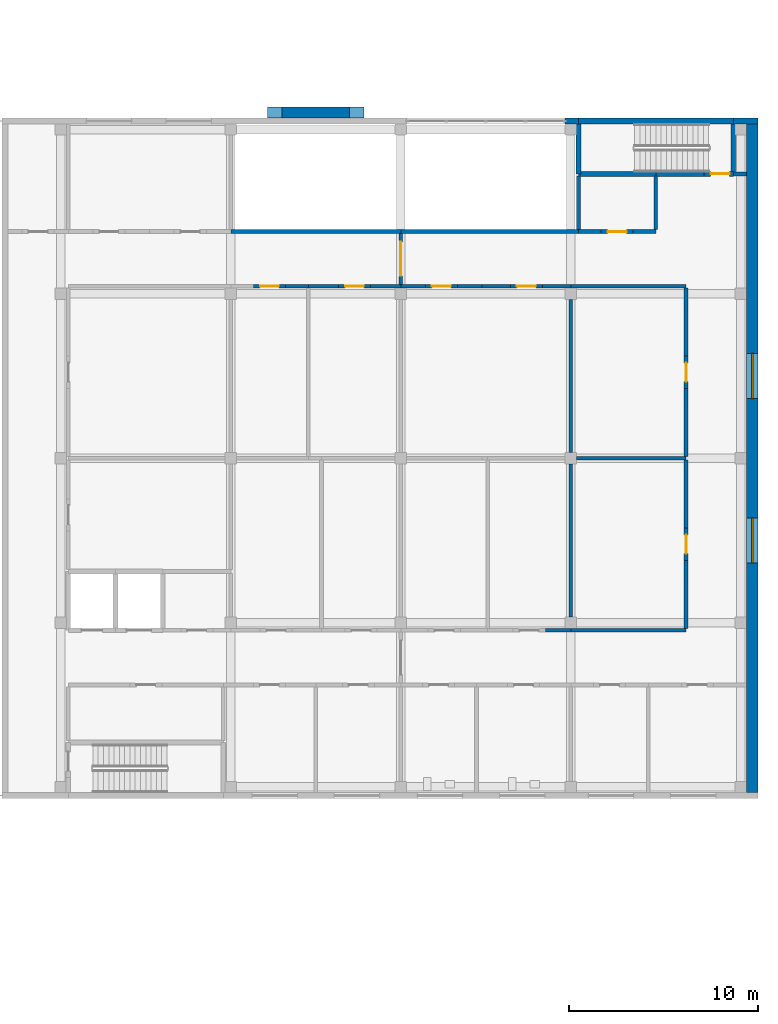
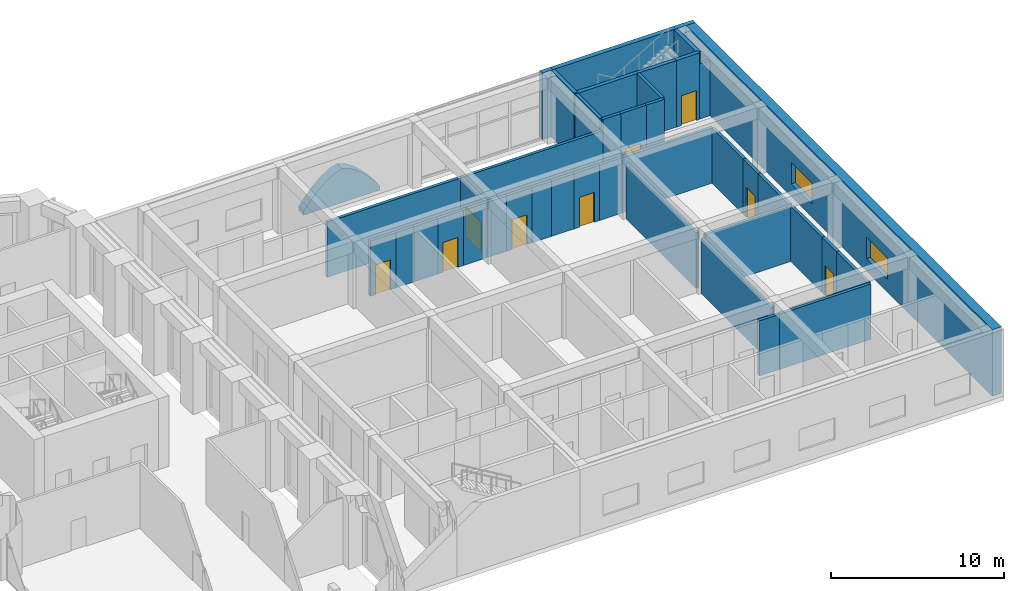
# One storey, part 17 of 25: 42 walls, 9 doors, 2 windows, 11 openings.
"""IFC4 building model written with IfcOpenShell, lengths in metres."""

import ifcopenshell
import ifcopenshell.guid

model = None  # the IFC model being written
_history = None  # IfcOwnerHistory: only IFC2X3 demands one
_inside = {}  # id of a spatial element -> (the spatial element, [elements in it])
_under = {}  # id of a project, library or spatial element -> (it, [spatial elements below it])
_declared = {}  # id of a project -> (the project, [libraries it declares])
_typed = {}  # id of a type object -> (the type object, [elements of that type])
_made_of = {}  # id of a material, layer set ... -> (it, [elements and type objects made of it])


def new_model(schema):
    """Start an empty IFC model of exactly this schema.

    Asked for "IFC4X3", IfcOpenShell would pick the latest addendum, in which some entities
    have other attributes; the version numbers below select the first issue.
    IFC2X3 requires an IfcOwnerHistory on every rooted entity: one is made here for all.
    """
    global model, _history
    if schema == "IFC4X3":
        model = ifcopenshell.file(schema_version=(4, 3, 0, 0))
    else:
        model = ifcopenshell.file(schema=schema)
    _inside.clear()
    _under.clear()
    _declared.clear()
    _typed.clear()
    _made_of.clear()
    _history = None
    if model.schema == "IFC2X3":
        org = make("IfcOrganization", Name="unknown")
        user = make(
            "IfcPersonAndOrganization",
            ThePerson=make("IfcPerson", FamilyName="unknown"),
            TheOrganization=org,
        )
        app = make(
            "IfcApplication",
            ApplicationDeveloper=org,
            Version="unknown",
            ApplicationFullName="unknown",
            ApplicationIdentifier="unknown",
        )
        _history = make(
            "IfcOwnerHistory",
            OwningUser=user,
            OwningApplication=app,
            ChangeAction="ADDED",
            CreationDate=0,
        )
    return model


def make(cls, **values):
    """One entity of the class cls with the attributes given. An attribute that is None is left unset."""
    return model.create_entity(
        cls, **{name: value for name, value in values.items() if value is not None}
    )


def rooted(cls, **values):
    """An entity with a GlobalId (a new one), such as an element, a storey or a relation."""
    return make(cls, GlobalId=ifcopenshell.guid.new(), OwnerHistory=_history, **values)


def si_unit(unit_type, name, prefix=None):
    """IfcSIUnit, for example si_unit("LENGTHUNIT", "METRE", prefix="MILLI")."""
    return make("IfcSIUnit", UnitType=unit_type, Prefix=prefix, Name=name)


def assignment(units):
    """IfcUnitAssignment: the units of a project."""
    return None if units is None else make("IfcUnitAssignment", Units=units)


def point(xyz):
    """IfcCartesianPoint."""
    return None if xyz is None else make("IfcCartesianPoint", Coordinates=xyz)


def direction(xyz):
    """IfcDirection."""
    return None if xyz is None else make("IfcDirection", DirectionRatios=xyz)


def frame(location, z_axis=None, x_axis=None):
    """IfcAxis2Placement3D, a coordinate frame: its origin and axes. An axis left out is left unset."""
    return make(
        "IfcAxis2Placement3D",
        Location=point(location),
        Axis=direction(z_axis),
        RefDirection=direction(x_axis),
    )


def frame_2d(location, x_axis=None):
    """IfcAxis2Placement2D, a coordinate frame in the plane: its origin and x axis."""
    return make(
        "IfcAxis2Placement2D", Location=point(location), RefDirection=direction(x_axis)
    )


def origin():
    """The frame at (0, 0, 0) with its axes left unset."""
    return frame((0.0, 0.0, 0.0))


def place(relative_to, where):
    """IfcLocalPlacement: puts the frame where relative to a parent placement (None: the world)."""
    return make(
        "IfcLocalPlacement", PlacementRelTo=relative_to, RelativePlacement=where
    )


def context(
    kind, dimensions, precision=None, world=None, true_north=None, identifier=None
):
    """IfcGeometricRepresentationContext, for example the 3D "Model" context."""
    return make(
        "IfcGeometricRepresentationContext",
        ContextIdentifier=identifier,
        ContextType=kind,
        CoordinateSpaceDimension=dimensions,
        Precision=precision,
        WorldCoordinateSystem=world,
        TrueNorth=true_north,
    )


def subcontext(parent, identifier, kind, view, scale=None):
    """IfcGeometricRepresentationSubContext, for example "Body" below "Model"."""
    return make(
        "IfcGeometricRepresentationSubContext",
        ContextIdentifier=identifier,
        ContextType=kind,
        ParentContext=parent,
        TargetScale=scale,
        TargetView=view,
    )


def project(units=None, contexts=None):
    """IfcProject with its units and contexts."""
    return rooted(
        "IfcProject",
        Name="project",
        RepresentationContexts=contexts,
        UnitsInContext=assignment(units),
    )


def spatial(cls, under=None, at=None, **own):
    """A site, building, storey or space (cls), placed at a placement, below another one or the project."""
    s = rooted(cls, ObjectPlacement=at, **own)
    if under is not None:
        _under.setdefault(under.id(), (under, []))[1].append(s)
    return s


def polyline(points):
    """IfcPolyline through the points."""
    return make("IfcPolyline", Points=[point(p) for p in points])


def profile(cls, at=None, kind="AREA", **sizes):
    """A parametric profile (cls). Its sizes go by their IFC names, for example OverallWidth=200.0."""
    return make(cls, ProfileType=kind, Position=at, **sizes)


def rectangle(**sizes):
    """IfcRectangleProfileDef."""
    return profile("IfcRectangleProfileDef", **sizes)


def outline(outer, holes=None, kind="AREA"):
    """IfcArbitraryClosedProfileDef: a profile drawn as a closed curve; with holes, ...WithVoids."""
    if holes is None:
        return make("IfcArbitraryClosedProfileDef", ProfileType=kind, OuterCurve=outer)
    return make(
        "IfcArbitraryProfileDefWithVoids",
        ProfileType=kind,
        OuterCurve=outer,
        InnerCurves=holes,
    )


def extrude(swept, where, along, depth):
    """IfcExtrudedAreaSolid: the profile swept, set in the frame where, extruded along a direction by depth."""
    return make(
        "IfcExtrudedAreaSolid",
        SweptArea=swept,
        Position=where,
        ExtrudedDirection=direction(along),
        Depth=depth,
    )


def shape(context_of_items, identifier, shape_type, items):
    """IfcShapeRepresentation: the items that make up one representation, for example the "Body"."""
    return make(
        "IfcShapeRepresentation",
        ContextOfItems=context_of_items,
        RepresentationIdentifier=identifier,
        RepresentationType=shape_type,
        Items=items,
    )


def material(Name=None, Category=None):
    """IfcMaterial."""
    return make("IfcMaterial", Name=Name, Category=Category)


def layer(
    of_material, thickness, ventilated=None, Name=None, Category=None, Priority=None
):
    """IfcMaterialLayer: one layer of a wall or slab, of a material (None: an air gap)."""
    return make(
        "IfcMaterialLayer",
        Material=of_material,
        LayerThickness=thickness,
        IsVentilated=ventilated,
        Name=Name,
        Category=Category,
        Priority=Priority,
    )


def layer_set(layers, Name=None):
    """IfcMaterialLayerSet."""
    return make("IfcMaterialLayerSet", MaterialLayers=layers, LayerSetName=Name)


def made_of(thing, what):
    """Note that an element or type object is made of a material, layer set ...; save() writes the relation."""
    if what is not None:
        _made_of.setdefault(what.id(), (what, []))[1].append(thing)
    return thing


def type_object(cls, material=None, **own):
    """A type object (cls), such as IfcWallType, which elements share."""
    return made_of(rooted(cls, **own), material)


def element(
    cls,
    number,
    at=None,
    inside=None,
    cuts=None,
    type_object=None,
    material=None,
    context=None,
    identifier="Body",
    shape_type=None,
    held_by="IfcProductDefinitionShape",
    body=None,
    shapes=None,
    **own,
):
    """One element of the class cls, such as IfcWall. Its Tag is "e" and its number.

    at: its placement. inside: the storey or other place that contains it. cuts: it is an
    opening in that element (IfcRelVoidsElement). A single representation is given by context,
    identifier, shape_type and body (its items); several are given by shapes. held_by: the class
    of the entity that holds the representations. save() writes the other relations.
    """
    e = rooted(cls, Tag="e%d" % number, ObjectPlacement=at, **own)
    if body is not None:
        shapes = [shape(context, identifier, shape_type, body)]
    if shapes is not None:
        e.Representation = make(held_by, Representations=shapes)
    if inside is not None:
        _inside.setdefault(inside.id(), (inside, []))[1].append(e)
    if cuts is not None:
        rooted(
            "IfcRelVoidsElement", RelatingBuildingElement=cuts, RelatedOpeningElement=e
        )
    if type_object is not None:
        _typed.setdefault(type_object.id(), (type_object, []))[1].append(e)
    return made_of(e, material)


def fill(opening, filler):
    """IfcRelFillsElement: the door or window that sits in an opening."""
    return rooted(
        "IfcRelFillsElement",
        RelatingOpeningElement=opening,
        RelatedBuildingElement=filler,
    )


def aggregate(whole, parts):
    """IfcRelAggregates: a whole, such as a stair, and the parts it consists of."""
    return rooted("IfcRelAggregates", RelatingObject=whole, RelatedObjects=parts)


def save(model, path):
    """Write the relations noted so far, then the file.

    IfcRelAggregates (storeys below a building ...), IfcRelContainedInSpatialStructure (elements
    in a storey), IfcRelDefinesByType, IfcRelAssociatesMaterial and IfcRelDeclares: one each for
    every whole, place, type object, material and project.
    """
    for whole, parts in _under.values():
        aggregate(whole, parts)
    for where, things in _inside.values():
        rooted(
            "IfcRelContainedInSpatialStructure",
            RelatedElements=things,
            RelatingStructure=where,
        )
    for kind, things in _typed.values():
        rooted("IfcRelDefinesByType", RelatedObjects=things, RelatingType=kind)
    for what, things in _made_of.values():
        rooted("IfcRelAssociatesMaterial", RelatedObjects=things, RelatingMaterial=what)
    for by, libraries in _declared.values():
        rooted("IfcRelDeclares", RelatingContext=by, RelatedDefinitions=libraries)
    model.write(path)


model = new_model("IFC4")

# Units and contexts
model_context = context("Model", 3, precision=1e-05, world=origin(), true_north=direction((0.0, 1.0)))
body_context = subcontext(model_context, "Body", "Model", "MODEL_VIEW")
ifc_project = project(units=[si_unit("LENGTHUNIT", "METRE"), si_unit("AREAUNIT", "SQUARE_METRE"), si_unit("VOLUMEUNIT", "CUBIC_METRE"), si_unit("PLANEANGLEUNIT", "RADIAN"), si_unit("MASSUNIT", "GRAM", prefix="KILO")], contexts=[model_context])

# Site, building, storey
site_placement = place(None, origin())
site = spatial("IfcSite", under=ifc_project, at=site_placement, CompositionType="ELEMENT")
building_placement = place(site_placement, origin())
building = spatial("IfcBuilding", under=site, at=building_placement, Name="Girih Gate Residences", CompositionType="ELEMENT")
storey_placement = place(building_placement, frame((0.0, 0.0, 6.0)))
storey = spatial("IfcBuildingStorey", under=building, at=storey_placement, Name="L01", CompositionType="ELEMENT", Elevation=6.0)

# Walls
ifc_material_1 = material(Name="Fire-rated gypsum partition")
ifc_layer_1 = layer(ifc_material_1, 0.199951171875)
ifc_layer_set_1 = layer_set([ifc_layer_1], Name="HC Corridor wall 200 EI 60")
wall_type_1 = type_object("IfcWallType", Name="HC Corridor wall 200 EI 60", PredefinedType="PARTITIONING", material=ifc_layer_set_1)
wall_1_placement = place(storey_placement, frame((79.10009765625, 17.89990234375, 0.0), z_axis=(0.0, 0.0, 1.0), x_axis=(1.0, 0.0, 0.0)))
element("IfcWall", 1, at=wall_1_placement, inside=storey, type_object=wall_type_1, Name="L01 wall x17.90/79.1", PredefinedType="PARTITIONING", context=body_context, shape_type="SweptSolid", body=[
    extrude(rectangle(XDim=1.349853515625, YDim=0.199951171875, at=frame_2d((0.6748046875, 0.0))), origin(), (0.0, 0.0, 1.0), 3.89990234375),
])
wall_2_placement = place(storey_placement, frame((80.449951171875, 17.89990234375, 0.0), z_axis=(0.0, 0.0, 1.0), x_axis=(1.0, 0.0, 0.0)))
element("IfcWall", 2, at=wall_2_placement, inside=storey, type_object=wall_type_1, Name="L01 wall x17.90/80.5", PredefinedType="PARTITIONING", context=body_context, shape_type="SweptSolid", body=[
    extrude(rectangle(XDim=6.10009765625, YDim=0.199951171875, at=frame_2d((3.050048828125, 0.0))), origin(), (0.0, 0.0, 1.0), 3.89990234375),
])

# Wall, opening, door
wall_3_placement = place(storey_placement, frame((65.35009765625, 36.10009765625, 0.0), z_axis=(0.0, 0.0, 1.0), x_axis=(-1.0, 0.0, 0.0)))
wall_3 = element("IfcWall", 3, at=wall_3_placement, inside=storey, type_object=wall_type_1, Name="L01 wall x36.10/63.6", PredefinedType="PARTITIONING", context=body_context, shape_type="SweptSolid", body=[
    extrude(rectangle(XDim=1.7001953125, YDim=0.199951171875, at=frame_2d((0.85009765625, 0.0))), origin(), (0.0, 0.0, 1.0), 3.89990234375),
])
opening_1_placement = place(wall_3_placement, frame((0.35009765625, 0.0, 0.0)))
opening_1 = element("IfcOpeningElement", 4, at=opening_1_placement, cuts=wall_3, Name="Opening HC-L01-D22", PredefinedType="OPENING", context=body_context, shape_type="SweptSolid", body=[
    extrude(rectangle(XDim=1.0, YDim=2.10009765625, at=frame_2d((0.5, 1.050048828125))), frame((0.0, 0.10986328125, 0.0), z_axis=(0.0, -1.0, 0.0), x_axis=(1.0, 0.0, 0.0)), (0.0, 0.0, 1.0), 0.219970703125),
])
ifc_material_2 = material(Name="Timber door set", Category="wood")
door_type_1 = type_object("IfcDoorType", Name="HC Door 1000x2100 FD30S", OperationType="NOTDEFINED", PredefinedType="DOOR", material=ifc_material_2)
door_1_placement = place(opening_1_placement, origin())
door_1 = element("IfcDoor", 5, at=door_1_placement, inside=storey, type_object=door_type_1, Name="L01 Blood sampling room door", OperationType="SINGLE_SWING_LEFT", OverallHeight=2.10009765625, OverallWidth=1.0, PredefinedType="DOOR", context=body_context, shape_type="SweptSolid", body=[
    extrude(rectangle(XDim=1.0, YDim=2.10009765625, at=frame_2d((0.5, 1.050048828125))), frame((0.0, 0.02490234375, 0.0), z_axis=(0.0, -1.0, 0.0), x_axis=(1.0, 0.0, 0.0)), (0.0, 0.0, 1.0), 0.050048828125),
])
fill(opening_1, door_1)

# Walls
wall_4_placement = place(storey_placement, frame((65.35009765625, 36.10009765625, 0.0), z_axis=(0.0, 0.0, 1.0), x_axis=(1.0, 0.0, 0.0)))
element("IfcWall", 6, at=wall_4_placement, inside=storey, type_object=wall_type_1, Name="L01 wall x36.10/65.3", PredefinedType="PARTITIONING", context=body_context, shape_type="SweptSolid", body=[
    extrude(rectangle(XDim=1.199951171875, YDim=0.199951171875, at=frame_2d((0.60009765625, 0.0))), origin(), (0.0, 0.0, 1.0), 3.89990234375),
])
wall_5_placement = place(storey_placement, frame((66.550048828125, 36.10009765625, 0.0), z_axis=(0.0, 0.0, 1.0), x_axis=(1.0, 0.0, 0.0)))
element("IfcWall", 7, at=wall_5_placement, inside=storey, type_object=wall_type_1, Name="L01 wall x36.10/66.5", PredefinedType="PARTITIONING", context=body_context, shape_type="SweptSolid", body=[
    extrude(rectangle(XDim=1.599853515625, YDim=0.199951171875, at=frame_2d((0.7998046875, 0.0))), origin(), (0.0, 0.0, 1.0), 3.89990234375),
])

# Wall, opening, door
wall_6_placement = place(storey_placement, frame((69.85009765625, 36.10009765625, 0.0), z_axis=(0.0, 0.0, 1.0), x_axis=(-1.0, 0.0, 0.0)))
wall_6 = element("IfcWall", 8, at=wall_6_placement, inside=storey, type_object=wall_type_1, Name="L01 wall x36.10/68.2", PredefinedType="PARTITIONING", context=body_context, shape_type="SweptSolid", body=[
    extrude(rectangle(XDim=1.7001953125, YDim=0.199951171875, at=frame_2d((0.85009765625, 0.0))), origin(), (0.0, 0.0, 1.0), 3.89990234375),
])
opening_2_placement = place(wall_6_placement, frame((0.35009765625, 0.0, 0.0)))
opening_2 = element("IfcOpeningElement", 9, at=opening_2_placement, cuts=wall_6, Name="Opening HC-L01-D23", PredefinedType="OPENING", context=body_context, shape_type="SweptSolid", body=[
    extrude(rectangle(XDim=1.0, YDim=2.10009765625, at=frame_2d((0.5, 1.050048828125))), frame((0.0, 0.10986328125, 0.0), z_axis=(0.0, -1.0, 0.0), x_axis=(1.0, 0.0, 0.0)), (0.0, 0.0, 1.0), 0.219970703125),
])
door_2_placement = place(opening_2_placement, origin())
door_2 = element("IfcDoor", 10, at=door_2_placement, inside=storey, type_object=door_type_1, Name="L01 Specimen laboratory door", OperationType="SINGLE_SWING_RIGHT", OverallHeight=2.10009765625, OverallWidth=1.0, PredefinedType="DOOR", context=body_context, shape_type="SweptSolid", body=[
    extrude(rectangle(XDim=1.0, YDim=2.10009765625, at=frame_2d((0.5, 1.050048828125))), frame((0.0, 0.02490234375, 0.0), z_axis=(0.0, -1.0, 0.0), x_axis=(1.0, 0.0, 0.0)), (0.0, 0.0, 1.0), 0.050048828125),
])
fill(opening_2, door_2)

# Walls
wall_7_placement = place(storey_placement, frame((69.85009765625, 36.10009765625, 0.0), z_axis=(0.0, 0.0, 1.0), x_axis=(1.0, 0.0, 0.0)))
element("IfcWall", 11, at=wall_7_placement, inside=storey, type_object=wall_type_1, Name="L01 wall x36.10/69.8", PredefinedType="PARTITIONING", context=body_context, shape_type="SweptSolid", body=[
    extrude(rectangle(XDim=1.599853515625, YDim=0.199951171875, at=frame_2d((0.7998046875, 0.0))), origin(), (0.0, 0.0, 1.0), 3.89990234375),
])
wall_8_placement = place(storey_placement, frame((71.449951171875, 36.10009765625, 0.0), z_axis=(0.0, 0.0, 1.0), x_axis=(1.0, 0.0, 0.0)))
element("IfcWall", 12, at=wall_8_placement, inside=storey, type_object=wall_type_1, Name="L01 wall x36.10/71.5", PredefinedType="PARTITIONING", context=body_context, shape_type="SweptSolid", body=[
    extrude(rectangle(XDim=1.300048828125, YDim=0.199951171875, at=frame_2d((0.64990234375, 0.0))), origin(), (0.0, 0.0, 1.0), 3.89990234375),
])

# Wall, opening, door
wall_9_placement = place(storey_placement, frame((74.449951171875, 36.10009765625, 0.0), z_axis=(0.0, 0.0, 1.0), x_axis=(-1.0, 0.0, 0.0)))
wall_9 = element("IfcWall", 13, at=wall_9_placement, inside=storey, type_object=wall_type_1, Name="L01 wall x36.10/72.8", PredefinedType="PARTITIONING", context=body_context, shape_type="SweptSolid", body=[
    extrude(rectangle(XDim=1.699951171875, YDim=0.199951171875, at=frame_2d((0.85009765625, 0.0))), origin(), (0.0, 0.0, 1.0), 3.89990234375),
])
opening_3_placement = place(wall_9_placement, frame((0.35009765625, 0.0, 0.0)))
opening_3 = element("IfcOpeningElement", 14, at=opening_3_placement, cuts=wall_9, Name="Opening HC-L01-D24", PredefinedType="OPENING", context=body_context, shape_type="SweptSolid", body=[
    extrude(rectangle(XDim=1.0, YDim=2.10009765625, at=frame_2d((0.5, 1.050048828125))), frame((0.0, 0.10986328125, 0.0), z_axis=(0.0, -1.0, 0.0), x_axis=(1.0, 0.0, 0.0)), (0.0, 0.0, 1.0), 0.219970703125),
])
door_3_placement = place(opening_3_placement, origin())
door_3 = element("IfcDoor", 15, at=door_3_placement, inside=storey, type_object=door_type_1, Name="L01 Consulting room 1 door", OperationType="SINGLE_SWING_LEFT", OverallHeight=2.10009765625, OverallWidth=1.0, PredefinedType="DOOR", context=body_context, shape_type="SweptSolid", body=[
    extrude(rectangle(XDim=1.0, YDim=2.10009765625, at=frame_2d((0.5, 1.050048828125))), frame((0.0, 0.02490234375, 0.0), z_axis=(0.0, -1.0, 0.0), x_axis=(1.0, 0.0, 0.0)), (0.0, 0.0, 1.0), 0.050048828125),
])
fill(opening_3, door_3)

# Walls
wall_10_placement = place(storey_placement, frame((74.449951171875, 36.10009765625, 0.0), z_axis=(0.0, 0.0, 1.0), x_axis=(1.0, 0.0, 0.0)))
element("IfcWall", 16, at=wall_10_placement, inside=storey, type_object=wall_type_1, Name="L01 wall x36.10/74.4", PredefinedType="PARTITIONING", context=body_context, shape_type="SweptSolid", body=[
    extrude(rectangle(XDim=1.300048828125, YDim=0.199951171875, at=frame_2d((0.64990234375, 0.0))), origin(), (0.0, 0.0, 1.0), 3.89990234375),
])
wall_11_placement = place(storey_placement, frame((75.75, 36.10009765625, 0.0), z_axis=(0.0, 0.0, 1.0), x_axis=(1.0, 0.0, 0.0)))
element("IfcWall", 17, at=wall_11_placement, inside=storey, type_object=wall_type_1, Name="L01 wall x36.10/75.8", PredefinedType="PARTITIONING", context=body_context, shape_type="SweptSolid", body=[
    extrude(rectangle(XDim=1.5, YDim=0.199951171875, at=frame_2d((0.75, 0.0))), origin(), (0.0, 0.0, 1.0), 3.89990234375),
])

# Wall, opening, door
wall_12_placement = place(storey_placement, frame((78.949951171875, 36.10009765625, 0.0), z_axis=(0.0, 0.0, 1.0), x_axis=(-1.0, 0.0, 0.0)))
wall_12 = element("IfcWall", 18, at=wall_12_placement, inside=storey, type_object=wall_type_1, Name="L01 wall x36.10/77.2", PredefinedType="PARTITIONING", context=body_context, shape_type="SweptSolid", body=[
    extrude(rectangle(XDim=1.699951171875, YDim=0.199951171875, at=frame_2d((0.85009765625, 0.0))), origin(), (0.0, 0.0, 1.0), 3.89990234375),
])
opening_4_placement = place(wall_12_placement, frame((0.35009765625, 0.0, 0.0)))
opening_4 = element("IfcOpeningElement", 19, at=opening_4_placement, cuts=wall_12, Name="Opening HC-L01-D25", PredefinedType="OPENING", context=body_context, shape_type="SweptSolid", body=[
    extrude(rectangle(XDim=1.0, YDim=2.10009765625, at=frame_2d((0.5, 1.050048828125))), frame((0.0, 0.10986328125, 0.0), z_axis=(0.0, -1.0, 0.0), x_axis=(1.0, 0.0, 0.0)), (0.0, 0.0, 1.0), 0.219970703125),
])
door_4_placement = place(opening_4_placement, origin())
door_4 = element("IfcDoor", 20, at=door_4_placement, inside=storey, type_object=door_type_1, Name="L01 Consulting room 2 door", OperationType="SINGLE_SWING_RIGHT", OverallHeight=2.10009765625, OverallWidth=1.0, PredefinedType="DOOR", context=body_context, shape_type="SweptSolid", body=[
    extrude(rectangle(XDim=1.0, YDim=2.10009765625, at=frame_2d((0.5, 1.050048828125))), frame((0.0, 0.02490234375, 0.0), z_axis=(0.0, -1.0, 0.0), x_axis=(1.0, 0.0, 0.0)), (0.0, 0.0, 1.0), 0.050048828125),
])
fill(opening_4, door_4)

# Walls
wall_13_placement = place(storey_placement, frame((78.949951171875, 36.10009765625, 0.0), z_axis=(0.0, 0.0, 1.0), x_axis=(1.0, 0.0, 0.0)))
element("IfcWall", 21, at=wall_13_placement, inside=storey, type_object=wall_type_1, Name="L01 wall x36.10/78.9", PredefinedType="PARTITIONING", context=body_context, shape_type="SweptSolid", body=[
    extrude(rectangle(XDim=1.5, YDim=0.199951171875, at=frame_2d((0.75, 0.0))), origin(), (0.0, 0.0, 1.0), 3.89990234375),
])
wall_14_placement = place(storey_placement, frame((80.449951171875, 36.10009765625, 0.0), z_axis=(0.0, 0.0, 1.0), x_axis=(1.0, 0.0, 0.0)))
element("IfcWall", 22, at=wall_14_placement, inside=storey, type_object=wall_type_1, Name="L01 wall x36.10/80.5", PredefinedType="PARTITIONING", context=body_context, shape_type="SweptSolid", body=[
    extrude(rectangle(XDim=6.10009765625, YDim=0.199951171875, at=frame_2d((3.050048828125, 0.0))), origin(), (0.0, 0.0, 1.0), 3.89990234375),
])
wall_15_placement = place(storey_placement, frame((62.449951171875, 39.0, 0.0), z_axis=(0.0, 0.0, 1.0), x_axis=(1.0, 0.0, 0.0)))
element("IfcWall", 23, at=wall_15_placement, inside=storey, type_object=wall_type_1, Name="L01 wall x39.00/62.5", PredefinedType="PARTITIONING", context=body_context, shape_type="SweptSolid", body=[
    extrude(rectangle(XDim=9.0, YDim=0.199951171875, at=frame_2d((4.5, 0.0))), origin(), (0.0, 0.0, 1.0), 3.89990234375),
])
wall_16_placement = place(storey_placement, frame((71.449951171875, 39.0, 0.0), z_axis=(0.0, 0.0, 1.0), x_axis=(1.0, 0.0, 0.0)))
element("IfcWall", 24, at=wall_16_placement, inside=storey, type_object=wall_type_1, Name="L01 wall x39.00/71.5", PredefinedType="PARTITIONING", context=body_context, shape_type="SweptSolid", body=[
    extrude(rectangle(XDim=9.400146484375, YDim=0.199951171875, at=frame_2d((4.7001953125, 0.0))), origin(), (0.0, 0.0, 1.0), 3.89990234375),
])
wall_17_placement = place(storey_placement, frame((80.85009765625, 39.0, 0.0), z_axis=(0.0, 0.0, 1.0), x_axis=(1.0, 0.0, 0.0)))
element("IfcWall", 25, at=wall_17_placement, inside=storey, type_object=wall_type_1, Name="L01 wall x39.00/80.8", PredefinedType="PARTITIONING", context=body_context, shape_type="SweptSolid", body=[
    extrude(rectangle(XDim=1.199951171875, YDim=0.199951171875, at=frame_2d((0.60009765625, 0.0))), origin(), (0.0, 0.0, 1.0), 4.699951171875),
])

# Wall, opening, door
wall_18_placement = place(storey_placement, frame((82.050048828125, 39.0, 0.0), z_axis=(0.0, 0.0, 1.0), x_axis=(1.0, 0.0, 0.0)))
wall_18 = element("IfcWall", 26, at=wall_18_placement, inside=storey, type_object=wall_type_1, Name="L01 wall x39.00/82.1", PredefinedType="PARTITIONING", context=body_context, shape_type="SweptSolid", body=[
    extrude(rectangle(XDim=1.699951171875, YDim=0.199951171875, at=frame_2d((0.85009765625, 0.0))), origin(), (0.0, 0.0, 1.0), 4.699951171875),
])
opening_5_placement = place(wall_18_placement, frame((0.35009765625, 0.0, 0.0)))
opening_5 = element("IfcOpeningElement", 27, at=opening_5_placement, cuts=wall_18, Name="Opening HC-L01-D30", PredefinedType="OPENING", context=body_context, shape_type="SweptSolid", body=[
    extrude(rectangle(XDim=1.0, YDim=2.10009765625, at=frame_2d((0.5, 1.050048828125))), frame((0.0, 0.10986328125, 0.0), z_axis=(0.0, -1.0, 0.0), x_axis=(1.0, 0.0, 0.0)), (0.0, 0.0, 1.0), 0.219970703125),
])
door_5_placement = place(opening_5_placement, origin())
door_5 = element("IfcDoor", 28, at=door_5_placement, inside=storey, type_object=door_type_1, Name="L01 Medical gases store door", OperationType="SINGLE_SWING_RIGHT", OverallHeight=2.10009765625, OverallWidth=1.0, PredefinedType="DOOR", context=body_context, shape_type="SweptSolid", body=[
    extrude(rectangle(XDim=1.0, YDim=2.10009765625, at=frame_2d((0.5, 1.050048828125))), frame((0.0, 0.02490234375, 0.0), z_axis=(0.0, -1.0, 0.0), x_axis=(1.0, 0.0, 0.0)), (0.0, 0.0, 1.0), 0.050048828125),
])
fill(opening_5, door_5)

# Walls
wall_19_placement = place(storey_placement, frame((83.75, 39.0, 0.0), z_axis=(0.0, 0.0, 1.0), x_axis=(1.0, 0.0, 0.0)))
element("IfcWall", 29, at=wall_19_placement, inside=storey, type_object=wall_type_1, Name="L01 wall x39.00/83.8", PredefinedType="PARTITIONING", context=body_context, shape_type="SweptSolid", body=[
    extrude(rectangle(XDim=1.199951171875, YDim=0.199951171875, at=frame_2d((0.60009765625, 0.0))), origin(), (0.0, 0.0, 1.0), 4.699951171875),
])
wall_20_placement = place(storey_placement, frame((89.050048828125, 42.050048828125, 0.0), z_axis=(0.0, 0.0, 1.0), x_axis=(1.0, 0.0, 0.0)))
element("IfcWall", 30, at=wall_20_placement, inside=storey, type_object=wall_type_1, Name="L01 wall x42.05/89.0", PredefinedType="PARTITIONING", context=body_context, shape_type="SweptSolid", body=[
    extrude(rectangle(XDim=0.699951171875, YDim=0.199951171875, at=frame_2d((0.35009765625, 0.0))), origin(), (0.0, 0.0, 1.0), 3.89990234375),
])

# Wall, opening, door
wall_21_placement = place(storey_placement, frame((71.449951171875, 38.89990234375, 0.0), z_axis=(0.0, 0.0, 1.0), x_axis=(0.0, -1.0, 0.0)))
wall_21 = element("IfcWall", 31, at=wall_21_placement, inside=storey, type_object=wall_type_1, Name="L01 wall y71.45/36.2", PredefinedType="PARTITIONING", context=body_context, shape_type="SweptSolid", body=[
    extrude(rectangle(XDim=2.699951171875, YDim=0.199951171875, at=frame_2d((1.35009765625, 0.0))), origin(), (0.0, 0.0, 1.0), 3.89990234375),
])
opening_6_placement = place(wall_21_placement, frame((0.449951171875, 0.0, 0.0)))
opening_6 = element("IfcOpeningElement", 32, at=opening_6_placement, cuts=wall_21, Name="Opening HC-L01-D06", PredefinedType="OPENING", context=body_context, shape_type="SweptSolid", body=[
    extrude(rectangle(XDim=1.800048828125, YDim=2.10009765625, at=frame_2d((0.89990234375, 1.050048828125))), frame((0.0, 0.10986328125, 0.0), z_axis=(0.0, -1.0, 0.0), x_axis=(1.0, 0.0, 0.0)), (0.0, 0.0, 1.0), 0.219970703125),
])
door_type_2 = type_object("IfcDoorType", Name="HC Corridor fire door pair 1800x2100 FD30S", OperationType="NOTDEFINED", PredefinedType="DOOR", material=ifc_material_2)
door_6_placement = place(opening_6_placement, origin())
door_6 = element("IfcDoor", 33, at=door_6_placement, inside=storey, type_object=door_type_2, Name="L01 corridor north fire door pair", OperationType="DOUBLE_DOOR_DOUBLE_SWING", OverallHeight=2.10009765625, OverallWidth=1.800048828125, PredefinedType="DOOR", context=body_context, shape_type="SweptSolid", body=[
    extrude(rectangle(XDim=1.800048828125, YDim=2.10009765625, at=frame_2d((0.89990234375, 1.050048828125))), frame((0.0, 0.02490234375, 0.0), z_axis=(0.0, -1.0, 0.0), x_axis=(1.0, 0.0, 0.0)), (0.0, 0.0, 1.0), 0.050048828125),
])
fill(opening_6, door_6)

# Walls
wall_22_placement = place(storey_placement, frame((84.949951171875, 39.10009765625, 0.0), z_axis=(0.0, 0.0, 1.0), x_axis=(0.0, 1.0, 0.0)))
element("IfcWall", 34, at=wall_22_placement, inside=storey, type_object=wall_type_1, Name="L01 wall y84.95/39.1", PredefinedType="PARTITIONING", context=body_context, shape_type="SweptSolid", body=[
    extrude(rectangle(XDim=2.849853515625, YDim=0.199951171875, at=frame_2d((1.4248046875, 0.0))), origin(), (0.0, 0.0, 1.0), 4.699951171875),
])
wall_23_placement = place(storey_placement, frame((86.550048828125, 18.0, 0.0), z_axis=(0.0, 0.0, 1.0), x_axis=(0.0, 1.0, 0.0)))
element("IfcWall", 35, at=wall_23_placement, inside=storey, type_object=wall_type_1, Name="L01 wall y86.55/18.0", PredefinedType="PARTITIONING", context=body_context, shape_type="SweptSolid", body=[
    extrude(rectangle(XDim=3.60009765625, YDim=0.199951171875, at=frame_2d((1.800048828125, 0.0))), origin(), (0.0, 0.0, 1.0), 3.89990234375),
])

# Wall, opening, door
wall_24_placement = place(storey_placement, frame((86.550048828125, 21.60009765625, 0.0), z_axis=(0.0, 0.0, 1.0), x_axis=(0.0, 1.0, 0.0)))
wall_24 = element("IfcWall", 36, at=wall_24_placement, inside=storey, type_object=wall_type_1, Name="L01 wall y86.55/21.6", PredefinedType="PARTITIONING", context=body_context, shape_type="SweptSolid", body=[
    extrude(rectangle(XDim=1.699951171875, YDim=0.199951171875, at=frame_2d((0.85009765625, 0.0))), origin(), (0.0, 0.0, 1.0), 3.89990234375),
])
opening_7_placement = place(wall_24_placement, frame((0.35009765625, 0.0, 0.0)))
opening_7 = element("IfcOpeningElement", 37, at=opening_7_placement, cuts=wall_24, Name="Opening HC-L01-D20", PredefinedType="OPENING", context=body_context, shape_type="SweptSolid", body=[
    extrude(rectangle(XDim=1.0, YDim=2.10009765625, at=frame_2d((0.5, 1.050048828125))), frame((0.0, 0.10986328125, 0.0), z_axis=(0.0, -1.0, 0.0), x_axis=(1.0, 0.0, 0.0)), (0.0, 0.0, 1.0), 0.219970703125),
])
door_7_placement = place(opening_7_placement, origin())
door_7 = element("IfcDoor", 38, at=door_7_placement, inside=storey, type_object=door_type_1, Name="L01 Imaging store door", OperationType="SINGLE_SWING_RIGHT", OverallHeight=2.10009765625, OverallWidth=1.0, PredefinedType="DOOR", context=body_context, shape_type="SweptSolid", body=[
    extrude(rectangle(XDim=1.0, YDim=2.10009765625, at=frame_2d((0.5, 1.050048828125))), frame((0.0, 0.02490234375, 0.0), z_axis=(0.0, -1.0, 0.0), x_axis=(1.0, 0.0, 0.0)), (0.0, 0.0, 1.0), 0.050048828125),
])
fill(opening_7, door_7)

# Walls
for number, where, z_axis, x_axis, name in (
    (39, (86.550048828125, 23.300048828125, 0.0), (0.0, 0.0, 1.0), (0.0, 1.0, 0.0), "L01 wall y86.55/23.3"),
    (40, (86.550048828125, 27.10009765625, 0.0), (0.0, 0.0, 1.0), (0.0, 1.0, 0.0), "L01 wall y86.55/27.1"),
):
    element("IfcWall", number, at=place(storey_placement, frame(where, z_axis=z_axis, x_axis=x_axis)), inside=storey, type_object=wall_type_1, Name=name, PredefinedType="PARTITIONING", context=body_context, shape_type="SweptSolid", body=[
        extrude(rectangle(XDim=3.599853515625, YDim=0.199951171875, at=frame_2d((1.7998046875, 0.0))), origin(), (0.0, 0.0, 1.0), 3.89990234375),
    ])

# Wall, opening, door
wall_25_placement = place(storey_placement, frame((86.550048828125, 30.699951171875, 0.0), z_axis=(0.0, 0.0, 1.0), x_axis=(0.0, 1.0, 0.0)))
wall_25 = element("IfcWall", 41, at=wall_25_placement, inside=storey, type_object=wall_type_1, Name="L01 wall y86.55/30.7", PredefinedType="PARTITIONING", context=body_context, shape_type="SweptSolid", body=[
    extrude(rectangle(XDim=1.699951171875, YDim=0.199951171875, at=frame_2d((0.85009765625, 0.0))), origin(), (0.0, 0.0, 1.0), 3.89990234375),
])
opening_8_placement = place(wall_25_placement, frame((0.35009765625, 0.0, 0.0)))
opening_8 = element("IfcOpeningElement", 42, at=opening_8_placement, cuts=wall_25, Name="Opening HC-L01-D26", PredefinedType="OPENING", context=body_context, shape_type="SweptSolid", body=[
    extrude(rectangle(XDim=1.0, YDim=2.10009765625, at=frame_2d((0.5, 1.050048828125))), frame((0.0, 0.10986328125, 0.0), z_axis=(0.0, -1.0, 0.0), x_axis=(1.0, 0.0, 0.0)), (0.0, 0.0, 1.0), 0.219970703125),
])
door_8_placement = place(opening_8_placement, origin())
door_8 = element("IfcDoor", 43, at=door_8_placement, inside=storey, type_object=door_type_1, Name="L01 Diagnostic clean utility door", OperationType="SINGLE_SWING_RIGHT", OverallHeight=2.10009765625, OverallWidth=1.0, PredefinedType="DOOR", context=body_context, shape_type="SweptSolid", body=[
    extrude(rectangle(XDim=1.0, YDim=2.10009765625, at=frame_2d((0.5, 1.050048828125))), frame((0.0, 0.02490234375, 0.0), z_axis=(0.0, -1.0, 0.0), x_axis=(1.0, 0.0, 0.0)), (0.0, 0.0, 1.0), 0.050048828125),
])
fill(opening_8, door_8)

# Walls
wall_26_placement = place(storey_placement, frame((86.550048828125, 32.39990234375, 0.0), z_axis=(0.0, 0.0, 1.0), x_axis=(0.0, 1.0, 0.0)))
element("IfcWall", 44, at=wall_26_placement, inside=storey, type_object=wall_type_1, Name="L01 wall y86.55/32.4", PredefinedType="PARTITIONING", context=body_context, shape_type="SweptSolid", body=[
    extrude(rectangle(XDim=3.60009765625, YDim=0.199951171875, at=frame_2d((1.800048828125, 0.0))), origin(), (0.0, 0.0, 1.0), 3.89990234375),
])
ifc_material_3 = material(Name="Precast concrete C40/50", Category="concrete")
ifc_layer_2 = layer(ifc_material_3, 0.300048828125)
ifc_layer_set_2 = layer_set([ifc_layer_2], Name="HC Facade wall 300")
wall_type_2 = type_object("IfcWallType", Name="HC Facade wall 300", PredefinedType="SOLIDWALL", material=ifc_layer_set_2)
wall_27_placement = place(storey_placement, frame((80.14990234375, 44.85009765625, 0.0), z_axis=(0.0, 0.0, 1.0), x_axis=(1.0, 0.0, 0.0)))
element("IfcWall", 45, at=wall_27_placement, inside=storey, type_object=wall_type_2, Name="L01 north facade wall east", PredefinedType="SOLIDWALL", context=body_context, shape_type="SweptSolid", body=[
    extrude(rectangle(XDim=0.7001953125, YDim=0.300048828125, at=frame_2d((0.35009765625, 0.0))), origin(), (0.0, 0.0, 1.0), 4.699951171875),
])
wall_28_placement = place(storey_placement, frame((89.050048828125, 44.85009765625, 0.0), z_axis=(0.0, 0.0, 1.0), x_axis=(1.0, 0.0, 0.0)))
element("IfcWall", 46, at=wall_28_placement, inside=storey, type_object=wall_type_2, Name="L01 north facade wall east", PredefinedType="SOLIDWALL", context=body_context, shape_type="SweptSolid", body=[
    extrude(rectangle(XDim=1.300048828125, YDim=0.300048828125, at=frame_2d((0.64990234375, 0.0))), origin(), (0.0, 0.0, 1.0), 4.699951171875),
])

# Wall, openings, windows
ifc_layer_3 = layer(ifc_material_3, 0.60009765625)
ifc_layer_set_3 = layer_set([ifc_layer_3], Name="HC Facade wall 600")
wall_type_3 = type_object("IfcWallType", Name="HC Facade wall 600", PredefinedType="SOLIDWALL", material=ifc_layer_set_3)
wall_29_placement = place(storey_placement, frame((90.050048828125, 9.300048828125, 0.0), z_axis=(0.0, 0.0, 1.0), x_axis=(0.0, 1.0, 0.0)))
wall_29 = element("IfcWall", 47, at=wall_29_placement, inside=storey, type_object=wall_type_3, Name="L01 east facade wall", PredefinedType="SOLIDWALL", context=body_context, shape_type="SweptSolid", body=[
    extrude(rectangle(XDim=35.39990234375, YDim=0.60009765625, at=frame_2d((17.699951171875, 0.0))), origin(), (0.0, 0.0, 1.0), 4.699951171875),
])
opening_9_placement = place(wall_29_placement, frame((12.14990234375, 0.0, 0.89990234375)))
opening_9 = element("IfcOpeningElement", 48, at=opening_9_placement, cuts=wall_29, Name="Opening HC-W-L01-E01", PredefinedType="OPENING", context=body_context, shape_type="SweptSolid", body=[
    extrude(rectangle(XDim=2.39990234375, YDim=1.5, at=frame_2d((1.199951171875, 0.75))), frame((0.0, 0.31005859375, 0.0), z_axis=(0.0, -1.0, 0.0), x_axis=(1.0, 0.0, 0.0)), (0.0, 0.0, 1.0), 0.6201171875),
])
opening_10_placement = place(wall_29_placement, frame((20.85009765625, 0.0, 0.89990234375)))
opening_10 = element("IfcOpeningElement", 49, at=opening_10_placement, cuts=wall_29, Name="Opening HC-W-L01-E02", PredefinedType="OPENING", context=body_context, shape_type="SweptSolid", body=[
    extrude(rectangle(XDim=2.39990234375, YDim=1.5, at=frame_2d((1.199951171875, 0.75))), frame((0.0, 0.31005859375, 0.0), z_axis=(0.0, -1.0, 0.0), x_axis=(1.0, 0.0, 0.0)), (0.0, 0.0, 1.0), 0.6201171875),
])
ifc_material_4 = material(Name="Aluminium framed glazing", Category="aluminium")
window_type = type_object("IfcWindowType", Name="HC Window W-4 2400x1500", PartitioningType="DOUBLE_PANEL_VERTICAL", PredefinedType="WINDOW", material=ifc_material_4)
window_1_placement = place(opening_9_placement, origin())
window_1 = element("IfcWindow", 50, at=window_1_placement, inside=storey, type_object=window_type, Name="L01 east window 1", OverallHeight=1.5, OverallWidth=2.39990234375, PartitioningType="DOUBLE_PANEL_VERTICAL", PredefinedType="WINDOW", context=body_context, shape_type="SweptSolid", body=[
    extrude(rectangle(XDim=2.39990234375, YDim=1.5, at=frame_2d((1.199951171875, 0.75))), frame((0.0, 0.030029296875, 0.0), z_axis=(0.0, -1.0, 0.0), x_axis=(1.0, 0.0, 0.0)), (0.0, 0.0, 1.0), 0.06005859375),
])
fill(opening_9, window_1)
window_2_placement = place(opening_10_placement, origin())
window_2 = element("IfcWindow", 51, at=window_2_placement, inside=storey, type_object=window_type, Name="L01 east window 2", OverallHeight=1.5, OverallWidth=2.39990234375, PartitioningType="DOUBLE_PANEL_VERTICAL", PredefinedType="WINDOW", context=body_context, shape_type="SweptSolid", body=[
    extrude(rectangle(XDim=2.39990234375, YDim=1.5, at=frame_2d((1.199951171875, 0.75))), frame((0.0, 0.030029296875, 0.0), z_axis=(0.0, -1.0, 0.0), x_axis=(1.0, 0.0, 0.0)), (0.0, 0.0, 1.0), 0.06005859375),
])
fill(opening_10, window_2)

# Walls
ifc_material_5 = material(Name="Precast concrete C50/60", Category="concrete")
ifc_layer_4 = layer(ifc_material_5, 0.60009765625)
ifc_layer_set_4 = layer_set([ifc_layer_4], Name="HC Portal piece 600")
wall_type_4 = type_object("IfcWallType", Name="HC Portal piece 600", PredefinedType="SOLIDWALL", material=ifc_layer_set_4)
wall_30_placement = place(storey_placement, frame((64.39990234375, 45.300048828125, 0.0), z_axis=(0.0, 0.0, 1.0), x_axis=(1.0, 0.0, 0.0)))
element("IfcWall", 52, at=wall_30_placement, inside=storey, type_object=wall_type_4, Name="Entrance portal pointed arch panel", PredefinedType="SOLIDWALL", context=body_context, shape_type="SweptSolid", body=[
    extrude(outline(polyline([(0.0, 0.0), (5.10009765625, 0.0), (5.10009765625, 0.300048828125), (4.590087890625, 0.930419921875), (4.080078125, 1.47265625), (3.570068359375, 1.915283203125), (3.06005859375, 2.239990234375), (2.550048828125, 2.39990234375), (2.0400390625, 2.239990234375), (1.530029296875, 1.915283203125), (1.02001953125, 1.47265625), (0.510009765625, 0.930419921875), (0.0, 0.300048828125), (0.0, 0.0)])), frame((0.0, 0.300048828125, 0.0), z_axis=(0.0, -1.0, 0.0), x_axis=(1.0, 0.0, 0.0)), (0.0, 0.0, 1.0), 0.60009765625),
])
ifc_material_6 = material(Name="Gypsum partition")
ifc_layer_5 = layer(ifc_material_6, 0.199951171875)
ifc_layer_set_5 = layer_set([ifc_layer_5], Name="HC Room partition 200 EI 30")
wall_type_5 = type_object("IfcWallType", Name="HC Room partition 200 EI 30", PredefinedType="PARTITIONING", material=ifc_layer_set_5)
wall_31_placement = place(storey_placement, frame((80.75, 27.0, 0.0), z_axis=(0.0, 0.0, 1.0), x_axis=(1.0, 0.0, 0.0)))
element("IfcWall", 53, at=wall_31_placement, inside=storey, type_object=wall_type_5, Name="L01 wall x27.00/80.8", PredefinedType="PARTITIONING", context=body_context, shape_type="SweptSolid", body=[
    extrude(rectangle(XDim=5.800048828125, YDim=0.199951171875, at=frame_2d((2.89990234375, 0.0))), origin(), (0.0, 0.0, 1.0), 3.89990234375),
])
for number, where, z_axis, x_axis, name in (
    (54, (80.449951171875, 18.60009765625, 0.0), (0.0, 0.0, 1.0), (0.0, 1.0, 0.0), "L01 wall y80.45/18.6"),
    (55, (80.449951171875, 27.300048828125, 0.0), (0.0, 0.0, 1.0), (0.0, 1.0, 0.0), "L01 wall y80.45/27.3"),
):
    element("IfcWall", number, at=place(storey_placement, frame(where, z_axis=z_axis, x_axis=x_axis)), inside=storey, type_object=wall_type_5, Name=name, PredefinedType="PARTITIONING", context=body_context, shape_type="SweptSolid", body=[
        extrude(rectangle(XDim=8.099853515625, YDim=0.199951171875, at=frame_2d((4.0498046875, 0.0))), origin(), (0.0, 0.0, 1.0), 3.89990234375),
    ])
wall_32_placement = place(storey_placement, frame((80.85009765625, 39.10009765625, 0.0), z_axis=(0.0, 0.0, 1.0), x_axis=(0.0, 1.0, 0.0)))
element("IfcWall", 56, at=wall_32_placement, inside=storey, type_object=wall_type_5, Name="L01 wall y80.85/39.1", PredefinedType="PARTITIONING", context=body_context, shape_type="SweptSolid", body=[
    extrude(rectangle(XDim=2.849853515625, YDim=0.199951171875, at=frame_2d((1.4248046875, 0.0))), origin(), (0.0, 0.0, 1.0), 4.699951171875),
])
ifc_material_7 = material(Name="Concrete C40/50", Category="concrete")
ifc_layer_6 = layer(ifc_material_7, 0.25)
ifc_layer_set_6 = layer_set([ifc_layer_6], Name="HC Shaft wall 250 C40/50")
wall_type_6 = type_object("IfcWallType", Name="HC Shaft wall 250 C40/50", PredefinedType="SHEAR", material=ifc_layer_set_6)
wall_33_placement = place(storey_placement, frame((80.85009765625, 42.050048828125, 0.0), z_axis=(0.0, 0.0, 1.0), x_axis=(1.0, 0.0, 0.0)))
element("IfcWall", 57, at=wall_33_placement, inside=storey, type_object=wall_type_6, Name="L01 wall x42.05/80.8", PredefinedType="SHEAR", context=body_context, shape_type="SweptSolid", body=[
    extrude(rectangle(XDim=4.099853515625, YDim=0.25, at=frame_2d((2.0498046875, 0.0))), origin(), (0.0, 0.0, 1.0), 4.699951171875),
])
wall_34_placement = place(storey_placement, frame((84.949951171875, 42.050048828125, 0.0), z_axis=(0.0, 0.0, 1.0), x_axis=(1.0, 0.0, 0.0)))
element("IfcWall", 58, at=wall_34_placement, inside=storey, type_object=wall_type_6, Name="L01 wall x42.05/85.0", PredefinedType="SHEAR", context=body_context, shape_type="SweptSolid", body=[
    extrude(rectangle(XDim=2.550048828125, YDim=0.25, at=frame_2d((1.27490234375, 0.0))), origin(), (0.0, 0.0, 1.0), 4.699951171875),
])

# Wall, opening, door
wall_35_placement = place(storey_placement, frame((89.050048828125, 42.050048828125, 0.0), z_axis=(0.0, 0.0, 1.0), x_axis=(-1.0, 0.0, 0.0)))
wall_35 = element("IfcWall", 59, at=wall_35_placement, inside=storey, type_object=wall_type_6, Name="L01 wall x42.05/87.5", PredefinedType="SHEAR", context=body_context, shape_type="SweptSolid", body=[
    extrude(rectangle(XDim=1.550048828125, YDim=0.25, at=frame_2d((0.77490234375, 0.0))), origin(), (0.0, 0.0, 1.0), 4.699951171875),
])
opening_11_placement = place(wall_35_placement, frame((0.199951171875, 0.0, 0.0)))
opening_11 = element("IfcOpeningElement", 60, at=opening_11_placement, cuts=wall_35, Name="Opening HC-L01-D02", PredefinedType="OPENING", context=body_context, shape_type="SweptSolid", body=[
    extrude(rectangle(XDim=1.0, YDim=2.10009765625, at=frame_2d((0.5, 1.050048828125))), frame((0.0, 0.135009765625, 0.0), z_axis=(0.0, -1.0, 0.0), x_axis=(1.0, 0.0, 0.0)), (0.0, 0.0, 1.0), 0.27001953125),
])
ifc_material_8 = material(Name="Steel door set", Category="steel")
door_type_3 = type_object("IfcDoorType", Name="HC Stair door 1000x2100 FD60", OperationType="NOTDEFINED", PredefinedType="DOOR", material=ifc_material_8)
door_9_placement = place(opening_11_placement, origin())
door_9 = element("IfcDoor", 61, at=door_9_placement, inside=storey, type_object=door_type_3, Name="L01 Stair B door", OperationType="SINGLE_SWING_LEFT", OverallHeight=2.10009765625, OverallWidth=1.0, PredefinedType="DOOR", context=body_context, shape_type="SweptSolid", body=[
    extrude(rectangle(XDim=1.0, YDim=2.10009765625, at=frame_2d((0.5, 1.050048828125))), frame((0.0, 0.02490234375, 0.0), z_axis=(0.0, -1.0, 0.0), x_axis=(1.0, 0.0, 0.0)), (0.0, 0.0, 1.0), 0.050048828125),
])
fill(opening_11, door_9)

# Walls
for number, where, z_axis, x_axis, name in (
    (62, (80.85009765625, 42.050048828125, 0.0), (0.0, 0.0, 1.0), (0.0, 1.0, 0.0), "L01 wall y80.85/42.0"),
    (63, (89.050048828125, 42.050048828125, 0.0), (0.0, 0.0, 1.0), (0.0, 1.0, 0.0), "L01 wall y89.05/42.0"),
):
    element("IfcWall", number, at=place(storey_placement, frame(where, z_axis=z_axis, x_axis=x_axis)), inside=storey, type_object=wall_type_6, Name=name, PredefinedType="SHEAR", context=body_context, shape_type="SweptSolid", body=[
        extrude(rectangle(XDim=2.64990234375, YDim=0.25, at=frame_2d((1.324951171875, 0.0))), origin(), (0.0, 0.0, 1.0), 4.699951171875),
    ])
ifc_layer_7 = layer(ifc_material_3, 0.300048828125)
ifc_layer_set_7 = layer_set([ifc_layer_7], Name="HC Stair shaft facade wall 300")
wall_type_7 = type_object("IfcWallType", Name="HC Stair shaft facade wall 300", PredefinedType="SHEAR", material=ifc_layer_set_7)
wall_36_placement = place(storey_placement, frame((80.85009765625, 44.85009765625, 0.0), z_axis=(0.0, 0.0, 1.0), x_axis=(1.0, 0.0, 0.0)))
element("IfcWall", 64, at=wall_36_placement, inside=storey, type_object=wall_type_7, Name="L01 north facade wall east over stair B", PredefinedType="SHEAR", context=body_context, shape_type="SweptSolid", body=[
    extrude(rectangle(XDim=8.199951171875, YDim=0.300048828125, at=frame_2d((4.10009765625, 0.0))), origin(), (0.0, 0.0, 1.0), 4.699951171875),
])

save(model, "model.ifc")
